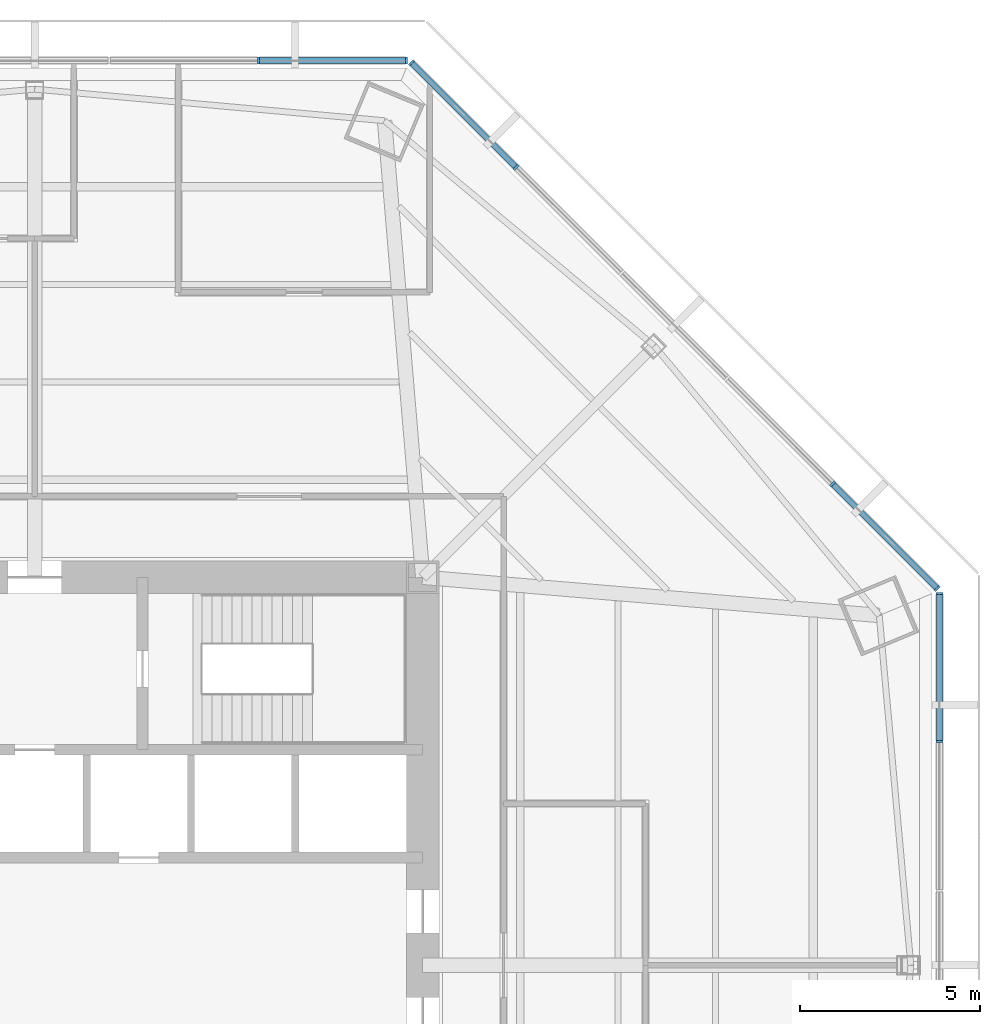
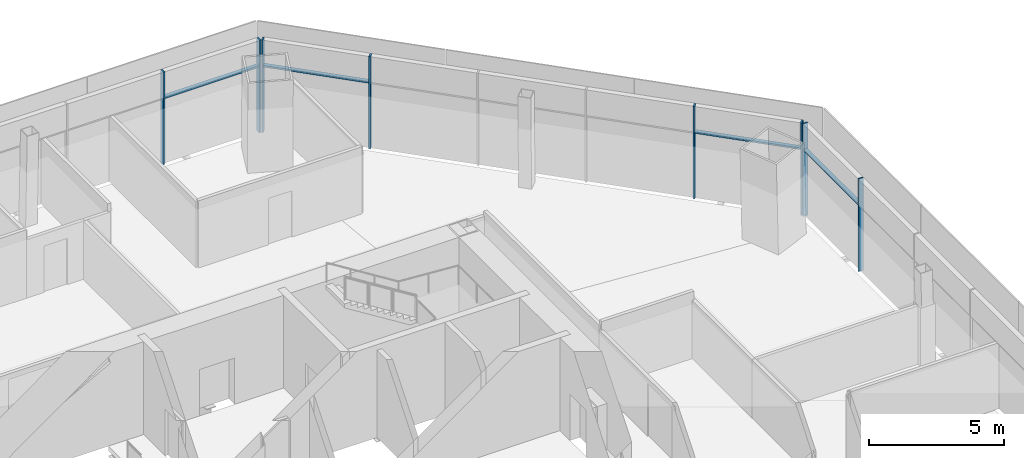
# One storey, part 7 of 16: 12 members, 3 elements without a shape of their own.
"""IFC4 building model written with IfcOpenShell, lengths in metres."""

from ifc_helpers import new_model, si_unit, direction, frame, origin, origin_2d, place, context, subcontext, project, spatial, rectangle, extrude, source, transform, mapped, material, material_profile, profile_set, type_object, type_shapes, element, aggregate, save


model = new_model("IFC4")

# Units and contexts
model_context = context("Model", 3, precision=1e-05, world=origin(), true_north=direction((0.0, 1.0)))
body_context = subcontext(model_context, "Body", "Model", "MODEL_VIEW")
ifc_project = project(units=[si_unit("LENGTHUNIT", "METRE"), si_unit("AREAUNIT", "SQUARE_METRE"), si_unit("VOLUMEUNIT", "CUBIC_METRE"), si_unit("PLANEANGLEUNIT", "RADIAN"), si_unit("MASSUNIT", "GRAM", prefix="KILO")], contexts=[model_context])

# Site, building, storey
site_placement = place(None, origin())
site = spatial("IfcSite", under=ifc_project, at=site_placement, CompositionType="ELEMENT")
building_placement = place(site_placement, origin())
building = spatial("IfcBuilding", under=site, at=building_placement, Name="Mashrafa Tower", CompositionType="ELEMENT")
storey_placement = place(building_placement, frame((0.0, 0.0, 100.199951171875)))
storey = spatial("IfcBuildingStorey", under=building, at=storey_placement, Name="L22", CompositionType="ELEMENT", Elevation=100.199951171875)

# Curtain wall, members
ifc_material_1 = material(Name="Unitised aluminium curtain wall", Category="aluminium")
curtain_wall_type = type_object("IfcCurtainWallType", Name="Office curtain wall, zone 1 CW-A 200 deep", PredefinedType="NOTDEFINED", material=ifc_material_1)
curtain_wall_1_placement = place(storey_placement, origin())
curtain_wall_1 = element("IfcCurtainWall", 1, at=curtain_wall_1_placement, inside=storey, type_object=curtain_wall_type, Name="Office curtain wall, zone 1 L22 east", PredefinedType="NOTDEFINED")
ifc_material_2 = material(Name="Extruded aluminium mullion", Category="aluminium")
ifc_material_profile_1 = material_profile(ifc_material_2, rectangle(XDim=0.199951171875, YDim=0.06494140625, at=origin_2d()), Name="Mullion 65x200")
ifc_profile_set_1 = profile_set([ifc_material_profile_1], Name="Extruded aluminium mullion")
member_type_1 = type_object("IfcMemberType", Name="Mullion CW-A 65 x 200", PredefinedType="MULLION", material=ifc_profile_set_1)
shared_shape_1 = source(origin(), body_context, "Body", "SweptSolid", [
    extrude(rectangle(XDim=0.199951171875, YDim=0.06494140625, at=origin_2d()), origin(), (0.0, 0.0, 1.0), 4.199951171875),
])
type_shapes(member_type_1, [shared_shape_1])
member_1_placement = place(storey_placement, frame((25.18017578125, 6.22705078125, 0.0), z_axis=(0.0, 0.0, 1.0), x_axis=(-1.0, 0.0, 0.0)))
member_1 = element("IfcMember", 2, at=member_1_placement, type_object=member_type_1, Name="CW-A mullion 5", PredefinedType="MULLION", context=body_context, shape_type="MappedRepresentation", body=[
    mapped(shared_shape_1, transform((0.0, 0.0, 0.0))),
])
member_2_placement = place(storey_placement, frame((25.18017578125, 10.345947265625, 0.0), z_axis=(0.0, 0.0, 1.0), x_axis=(-1.0, 0.0, 0.0)))
member_2 = element("IfcMember", 3, at=member_2_placement, type_object=member_type_1, Name="CW-A mullion 6", PredefinedType="MULLION", context=body_context, shape_type="MappedRepresentation", body=[
    mapped(shared_shape_1, transform((0.0, 0.0, 0.0))),
])

curtain_wall_2_placement = place(storey_placement, origin())
curtain_wall_2 = element("IfcCurtainWall", 4, at=curtain_wall_2_placement, inside=storey, type_object=curtain_wall_type, Name="Office curtain wall, zone 1 L22 north-east", PredefinedType="NOTDEFINED")
member_3_placement = place(storey_placement, frame((25.120849609375, 10.4892578125, 0.0), z_axis=(0.0, 0.0, 1.0), x_axis=(-0.707106781187, -0.707106781187, 0.0)))
member_3 = element("IfcMember", 5, at=member_3_placement, type_object=member_type_1, Name="CW-A mullion 1", PredefinedType="MULLION", context=body_context, shape_type="MappedRepresentation", body=[
    mapped(shared_shape_1, transform((0.0, 0.0, 0.0))),
])
member_4_placement = place(storey_placement, frame((22.208251953125, 13.40185546875, 0.0), z_axis=(0.0, 0.0, 1.0), x_axis=(-0.707106781187, -0.707106781187, 0.0)))
member_4 = element("IfcMember", 6, at=member_4_placement, type_object=member_type_1, Name="CW-A mullion 2", PredefinedType="MULLION", context=body_context, shape_type="MappedRepresentation", body=[
    mapped(shared_shape_1, transform((0.0, 0.0, 0.0))),
])
member_5_placement = place(storey_placement, frame((13.40185546875, 22.208251953125, 0.0), z_axis=(0.0, 0.0, 1.0), x_axis=(-0.707106781187, -0.707106781187, 0.0)))
member_5 = element("IfcMember", 7, at=member_5_placement, type_object=member_type_1, Name="CW-A mullion 5", PredefinedType="MULLION", context=body_context, shape_type="MappedRepresentation", body=[
    mapped(shared_shape_1, transform((0.0, 0.0, 0.0))),
])
member_6_placement = place(storey_placement, frame((10.4892578125, 25.120849609375, 0.0), z_axis=(0.0, 0.0, 1.0), x_axis=(-0.707106781187, -0.707106781187, 0.0)))
member_6 = element("IfcMember", 8, at=member_6_placement, type_object=member_type_1, Name="CW-A mullion 6", PredefinedType="MULLION", context=body_context, shape_type="MappedRepresentation", body=[
    mapped(shared_shape_1, transform((0.0, 0.0, 0.0))),
])

curtain_wall_3_placement = place(storey_placement, origin())
curtain_wall_3 = element("IfcCurtainWall", 9, at=curtain_wall_3_placement, inside=storey, type_object=curtain_wall_type, Name="Office curtain wall, zone 1 L22 north", PredefinedType="NOTDEFINED")
member_7_placement = place(storey_placement, frame((10.345947265625, 25.18017578125, 0.0), z_axis=(0.0, 0.0, 1.0), x_axis=(0.0, -1.0, 0.0)))
member_7 = element("IfcMember", 10, at=member_7_placement, type_object=member_type_1, Name="CW-A mullion 1", PredefinedType="MULLION", context=body_context, shape_type="MappedRepresentation", body=[
    mapped(shared_shape_1, transform((0.0, 0.0, 0.0))),
])
member_8_placement = place(storey_placement, frame((6.22705078125, 25.18017578125, 0.0), z_axis=(0.0, 0.0, 1.0), x_axis=(0.0, -1.0, 0.0)))
member_8 = element("IfcMember", 11, at=member_8_placement, type_object=member_type_1, Name="CW-A mullion 2", PredefinedType="MULLION", context=body_context, shape_type="MappedRepresentation", body=[
    mapped(shared_shape_1, transform((0.0, 0.0, 0.0))),
])

# Member
ifc_material_3 = material(Name="Extruded aluminium transom", Category="aluminium")
ifc_material_profile_2 = material_profile(ifc_material_3, rectangle(XDim=0.159912109375, YDim=0.080078125, at=origin_2d()), Name="Transom 80x160")
ifc_profile_set_2 = profile_set([ifc_material_profile_2], Name="Extruded aluminium transom")
member_type_2 = type_object("IfcMemberType", Name="Transom CW-A 80 x 160", PredefinedType="MULLION", material=ifc_profile_set_2)
shared_shape_2 = source(origin(), body_context, "Body", "SweptSolid", [
    extrude(rectangle(XDim=0.159912109375, YDim=0.080078125, at=origin_2d()), origin(), (0.0, 0.0, 1.0), 4.053955078125),
])
member_9_placement = place(storey_placement, frame((25.18017578125, 6.259521484375, 3.0), z_axis=(0.0, 1.0, 0.0), x_axis=(-1.0, 0.0, 0.0)))
member_9 = element("IfcMember", 12, at=member_9_placement, type_object=member_type_2, Name="CW-A transom 5", PredefinedType="MULLION", context=body_context, shape_type="MappedRepresentation", body=[
    mapped(shared_shape_2, transform((0.0, 0.0, 0.0))),
])

aggregate(curtain_wall_1, [member_1, member_2, member_9])

member_10_placement = place(storey_placement, frame((10.3134765625, 25.18017578125, 3.0), z_axis=(-1.0, 0.0, 0.0), x_axis=(0.0, -1.0, 0.0)))
member_10 = element("IfcMember", 13, at=member_10_placement, type_object=member_type_2, Name="CW-A transom 1", PredefinedType="MULLION", context=body_context, shape_type="MappedRepresentation", body=[
    mapped(shared_shape_2, transform((0.0, 0.0, 0.0))),
])

aggregate(curtain_wall_3, [member_7, member_8, member_10])

shared_shape_3 = source(origin(), body_context, "Body", "SweptSolid", [
    extrude(rectangle(XDim=0.159912109375, YDim=0.080078125, at=origin_2d()), origin(), (0.0, 0.0, 1.0), 4.05419921875),
])
type_shapes(member_type_2, [shared_shape_2, shared_shape_3])
member_11_placement = place(storey_placement, frame((25.097900390625, 10.51220703125, 3.0), z_axis=(-0.707106781187, 0.707106781187, 0.0), x_axis=(-0.707106781187, -0.707106781187, 0.0)))
member_11 = element("IfcMember", 14, at=member_11_placement, type_object=member_type_2, Name="CW-A transom 1", PredefinedType="MULLION", context=body_context, shape_type="MappedRepresentation", body=[
    mapped(shared_shape_3, transform((0.0, 0.0, 0.0))),
])

member_12_placement = place(storey_placement, frame((13.37890625, 22.231201171875, 3.0), z_axis=(-0.707106781187, 0.707106781187, 0.0), x_axis=(-0.707106781187, -0.707106781187, 0.0)))
member_12 = element("IfcMember", 15, at=member_12_placement, type_object=member_type_2, Name="CW-A transom 5", PredefinedType="MULLION", context=body_context, shape_type="MappedRepresentation", body=[
    mapped(shared_shape_3, transform((0.0, 0.0, 0.0))),
])

aggregate(curtain_wall_2, [member_3, member_4, member_5, member_6, member_11, member_12])

save(model, "model.ifc")
